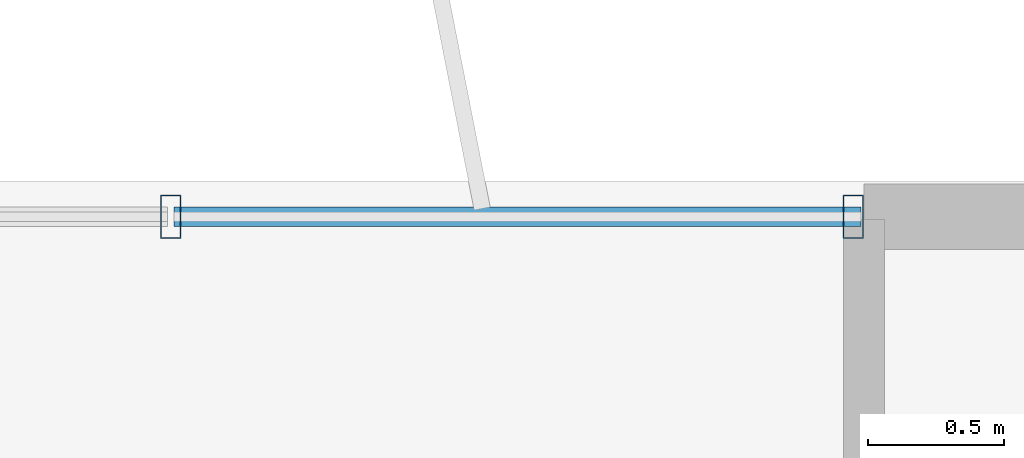
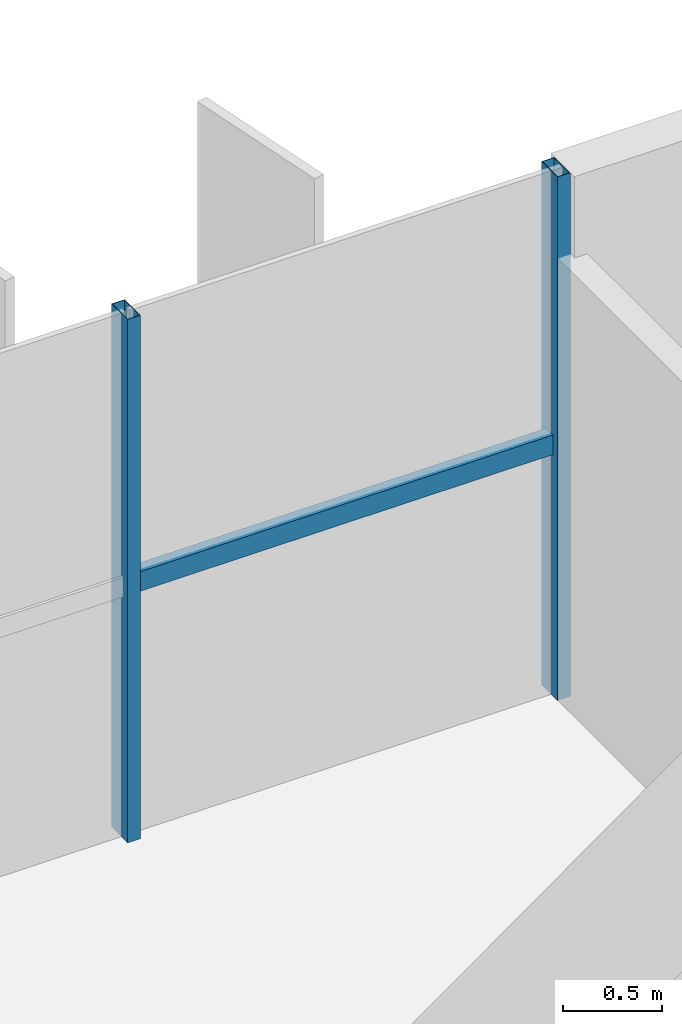
# One storey, part 27 of 37: 3 members, 1 element without a shape of its own.
"""IFC4 building model written with IfcOpenShell, lengths in metres."""

from ifc_helpers import new_model, si_unit, direction, frame, origin, origin_2d, place, context, subcontext, project, spatial, hollow_rectangle, extrude, source, transform, mapped, material, material_profile, profile_set, type_object, element, aggregate, save


model = new_model("IFC4")

# Units and contexts
model_context = context("Model", 3, precision=1e-05, world=origin(), true_north=direction((0.0, 1.0)))
body_context = subcontext(model_context, "Body", "Model", "MODEL_VIEW")
ifc_project = project(units=[si_unit("LENGTHUNIT", "METRE"), si_unit("AREAUNIT", "SQUARE_METRE"), si_unit("VOLUMEUNIT", "CUBIC_METRE"), si_unit("PLANEANGLEUNIT", "RADIAN"), si_unit("MASSUNIT", "GRAM", prefix="KILO")], contexts=[model_context])

# Site, building, storey
site_placement = place(None, origin())
site = spatial("IfcSite", under=ifc_project, at=site_placement, CompositionType="ELEMENT")
building_placement = place(site_placement, origin())
building = spatial("IfcBuilding", under=site, at=building_placement, Name="Trelvane Seafront Commons", CompositionType="ELEMENT")
storey_placement = place(building_placement, frame((0.0, 0.0, 201.300048828125)))
storey = spatial("IfcBuildingStorey", under=building, at=storey_placement, Name="L52", CompositionType="ELEMENT", Elevation=201.300048828125)

# Curtain wall, members
ifc_material = material(Name="Anodised pale-silver aluminium", Category="aluminium")
curtain_wall_type = type_object("IfcCurtainWallType", Name="ARCH-CW5-UPTOWER", PredefinedType="NOTDEFINED", material=ifc_material)
curtain_wall_placement = place(storey_placement, origin())
curtain_wall = element("IfcCurtainWall", 1, at=curtain_wall_placement, inside=storey, type_object=curtain_wall_type, Name="CW-L52-0090", PredefinedType="NOTDEFINED")
ifc_material_profile_1 = material_profile(ifc_material, hollow_rectangle(XDim=0.070068359375, YDim=0.1201171875, WallThickness=0.00390625, at=origin_2d()), Name="TRAN-70x120x4")
ifc_profile_set_1 = profile_set([ifc_material_profile_1], Name="Anodised pale-silver aluminium")
member_type_1 = type_object("IfcMemberType", Name="ARCH-CW-TRAN-120", PredefinedType="USERDEFINED", material=ifc_profile_set_1)
shared_shape_1 = source(origin(), body_context, "Body", "SweptSolid", [
    extrude(hollow_rectangle(XDim=0.070068359375, YDim=0.1201171875, WallThickness=0.00390625, at=origin_2d()), origin(), (0.0, 0.0, 1.0), 2.517333984375),
])
member_1_placement = place(storey_placement, frame((56.270751953125, 48.3701171875, 1.5458984375), z_axis=(1.0, 0.0, 0.0), x_axis=(0.0, 1.0, 0.0)))
member_1 = element("IfcMember", 2, at=member_1_placement, type_object=member_type_1, Name="CW-L52-0090-T16", ObjectType="TRANSOM", PredefinedType="USERDEFINED", context=body_context, shape_type="MappedRepresentation", body=[
    mapped(shared_shape_1, transform((0.0, 0.0, 0.0), x_axis=(1.0, 0.0, 0.0), y_axis=(0.0, 1.0, 0.0), z_axis=(0.0, 0.0, 1.0), scale=1.0)),
])
ifc_material_profile_2 = material_profile(ifc_material, hollow_rectangle(XDim=0.074951171875, YDim=0.159912109375, WallThickness=0.00390625, at=origin_2d()), Name="MULL-75x160x4")
ifc_profile_set_2 = profile_set([ifc_material_profile_2], Name="Anodised pale-silver aluminium")
member_type_2 = type_object("IfcMemberType", Name="ARCH-CW-MULL-160", PredefinedType="MULLION", material=ifc_profile_set_2)
shared_shape_2 = source(origin(), body_context, "Body", "SweptSolid", [
    extrude(hollow_rectangle(XDim=0.074951171875, YDim=0.159912109375, WallThickness=0.00390625, at=origin_2d()), origin(), (0.0, 0.0, 1.0), 3.219970703125),
])
member_2_placement = place(storey_placement, frame((56.2587890625, 48.3701171875, 0.0), z_axis=(0.0, 0.0, 1.0), x_axis=(1.0, 0.0, 0.0)))
member_2 = element("IfcMember", 3, at=member_2_placement, type_object=member_type_2, Name="CW-L52-0090-M16", PredefinedType="MULLION", context=body_context, shape_type="MappedRepresentation", body=[
    mapped(shared_shape_2, transform((0.0, 0.0, 0.0), x_axis=(1.0, 0.0, 0.0), y_axis=(0.0, 1.0, 0.0), z_axis=(0.0, 0.0, 1.0), scale=1.0)),
])
member_3_placement = place(storey_placement, frame((58.760009765625, 48.3701171875, 0.0), z_axis=(0.0, 0.0, 1.0), x_axis=(1.0, 0.0, 0.0)))
member_3 = element("IfcMember", 4, at=member_3_placement, type_object=member_type_2, Name="CW-L52-0090-M17", PredefinedType="MULLION", context=body_context, shape_type="MappedRepresentation", body=[
    mapped(shared_shape_2, transform((0.0, 0.0, 0.0), x_axis=(1.0, 0.0, 0.0), y_axis=(0.0, 1.0, 0.0), z_axis=(0.0, 0.0, 1.0), scale=1.0)),
])
aggregate(curtain_wall, [member_2, member_3, member_1])

save(model, "model.ifc")
